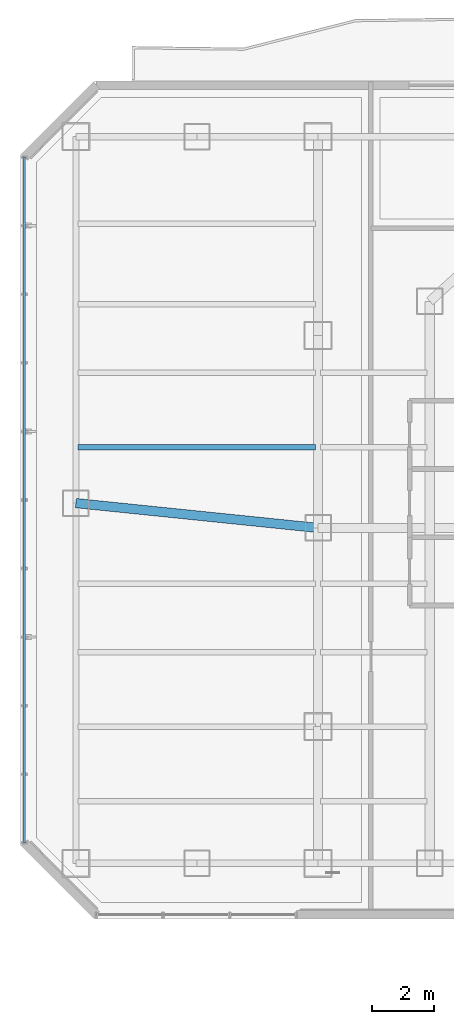
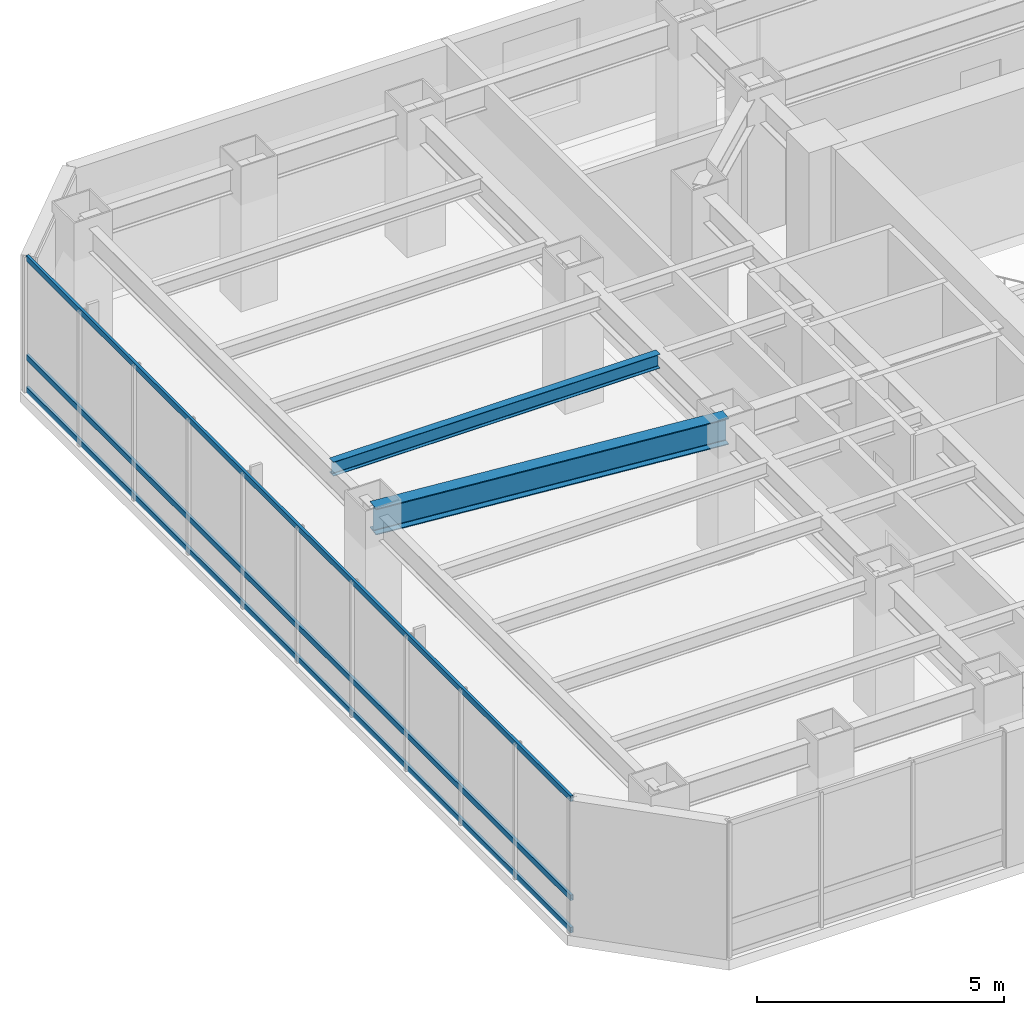
# One storey, part 14 of 29: 3 members, 2 beams, 1 element without a shape of its own.
"""IFC4 building model written with IfcOpenShell, lengths in metres."""

from ifc_helpers import new_model, si_unit, direction, frame, origin, origin_2d, place, context, subcontext, project, spatial, hollow_rectangle, i_section, extrude, material, layer, layer_set, material_profile, profile_set, type_object, element, aggregate, save


model = new_model("IFC4")

# Units and contexts
model_context = context("Model", 3, precision=1e-05, world=origin(), true_north=direction((0.0, 1.0)))
body_context = subcontext(model_context, "Body", "Model", "MODEL_VIEW")
ifc_project = project(units=[si_unit("LENGTHUNIT", "METRE"), si_unit("AREAUNIT", "SQUARE_METRE"), si_unit("VOLUMEUNIT", "CUBIC_METRE"), si_unit("PLANEANGLEUNIT", "RADIAN"), si_unit("MASSUNIT", "GRAM", prefix="KILO")], contexts=[model_context])

# Site, building, storey
site_placement = place(None, origin())
site = spatial("IfcSite", under=ifc_project, at=site_placement, CompositionType="ELEMENT")
building_placement = place(site_placement, origin())
building = spatial("IfcBuilding", under=site, at=building_placement, Name="Hatsunagi Terrace Concourse", CompositionType="ELEMENT")
storey_placement = place(building_placement, frame((0.0, 0.0, 104.85009765625)))
storey = spatial("IfcBuildingStorey", under=building, at=storey_placement, Name="L27", CompositionType="ELEMENT", Elevation=104.85009765625)

# Curtain wall, members
ifc_material_1 = material(Name="Anodised Aluminium Alloy 6063-T5", Category="aluminium")
ifc_layer = layer(ifc_material_1, 0.199951171875)
ifc_layer_set = layer_set([ifc_layer], Name="OfficeZone1_CW03")
curtain_wall_type = type_object("IfcCurtainWallType", Name="OfficeZone1_CW03", PredefinedType="NOTDEFINED", material=ifc_layer_set)
curtain_wall_placement = place(storey_placement, origin())
curtain_wall = element("IfcCurtainWall", 1, at=curtain_wall_placement, inside=storey, type_object=curtain_wall_type, Name="Unitised Curtain Wall CW-03 CW-L27-09", PredefinedType="NOTDEFINED")
ifc_material_2 = material(Name="Anodised Aluminium Alloy 6063-T5", Category="aluminium")
ifc_material_profile_1 = material_profile(ifc_material_2, hollow_rectangle(XDim=0.06494140625, YDim=0.139892578125, WallThickness=0.00390625, at=origin_2d()), Name="ALU-TRN-140x65x4")
ifc_profile_set_1 = profile_set([ifc_material_profile_1], Name="Anodised Aluminium Alloy 6063-T5")
member_type = type_object("IfcMemberType", Name="CurtainWallTransom_140x65", PredefinedType="USERDEFINED", material=ifc_profile_set_1)
member_1_placement = place(storey_placement, frame((9.739990234375, 25.85791015625, 0.0498046875), z_axis=(0.0, 1.0, 0.0), x_axis=(-1.0, 0.0, 0.0)))
member_1 = element("IfcMember", 2, at=member_1_placement, type_object=member_type, Name="Curtain Wall Transom TRN-02", ObjectType="TRANSOM", PredefinedType="USERDEFINED", context=body_context, shape_type="SweptSolid", body=[
    extrude(hollow_rectangle(XDim=0.06494140625, YDim=0.139892578125, WallThickness=0.00390625, at=origin_2d()), origin(), (0.0, 0.0, 1.0), 22.083984375),
])
member_2_placement = place(storey_placement, frame((9.739990234375, 25.85791015625, 0.849853515625), z_axis=(0.0, 1.0, 0.0), x_axis=(-1.0, 0.0, 0.0)))
member_2 = element("IfcMember", 3, at=member_2_placement, type_object=member_type, Name="Curtain Wall Transom TRN-02", ObjectType="TRANSOM", PredefinedType="USERDEFINED", context=body_context, shape_type="SweptSolid", body=[
    extrude(hollow_rectangle(XDim=0.06494140625, YDim=0.139892578125, WallThickness=0.00390625, at=origin_2d()), origin(), (0.0, 0.0, 1.0), 22.083984375),
])
member_3_placement = place(storey_placement, frame((9.739990234375, 25.85791015625, 3.2998046875), z_axis=(0.0, 1.0, 0.0), x_axis=(-1.0, 0.0, 0.0)))
member_3 = element("IfcMember", 4, at=member_3_placement, type_object=member_type, Name="Curtain Wall Transom TRN-02", ObjectType="TRANSOM", PredefinedType="USERDEFINED", context=body_context, shape_type="SweptSolid", body=[
    extrude(hollow_rectangle(XDim=0.06494140625, YDim=0.139892578125, WallThickness=0.00390625, at=origin_2d()), origin(), (0.0, 0.0, 1.0), 22.083984375),
])
aggregate(curtain_wall, [member_1, member_2, member_3])

# Beams
ifc_material_3 = material(Name="Steel SN490B", Category="steel")
ifc_material_profile_2 = material_profile(ifc_material_3, i_section(OverallWidth=0.175048828125, OverallDepth=0.35009765625, WebThickness=0.007080078125, FlangeThickness=0.010986328125, FilletRadius=0.012939453125, at=origin_2d()), Name="H-350x175x7x11")
ifc_profile_set_2 = profile_set([ifc_material_profile_2], Name="Steel SN490B")
beam_type_1 = type_object("IfcBeamType", Name="HotelJoist_H_350x175", PredefinedType="JOIST", material=ifc_profile_set_2)
beam_1_placement = place(storey_placement, frame((11.465087890625, 38.60009765625, 3.1748046875), z_axis=(1.0, 0.0, 0.0), x_axis=(0.0, 1.0, 0.0)))
element("IfcBeam", 5, at=beam_1_placement, inside=storey, type_object=beam_type_1, Name="Beam J-02 J-L27-W-11-386", PredefinedType="JOIST", context=body_context, shape_type="SweptSolid", body=[
    extrude(i_section(OverallWidth=0.175048828125, OverallDepth=0.35009765625, WebThickness=0.007080078125, FlangeThickness=0.010986328125, FilletRadius=0.012939453125, at=origin_2d()), origin(), (0.0, 0.0, 1.0), 7.64990234375),
])
ifc_material_4 = material(Name="Steel SN490B", Category="steel")
ifc_material_profile_3 = material_profile(ifc_material_4, i_section(OverallWidth=0.300048828125, OverallDepth=0.64990234375, WebThickness=0.012939453125, FlangeThickness=0.02197265625, FilletRadius=0.01806640625, at=origin_2d()), Name="H-650x300x13x22")
ifc_profile_set_3 = profile_set([ifc_material_profile_3], Name="Steel SN490B")
beam_type_2 = type_object("IfcBeamType", Name="OfficeLowGirder_H_650x300", PredefinedType="BEAM", material=ifc_profile_set_3)
beam_2_placement = place(storey_placement, frame((11.39990234375, 36.800048828125, 3.02490234375), z_axis=(0.994780871372, -0.102034395927, 0.0), x_axis=(0.102034395927, 0.994780871372, 0.0)))
element("IfcBeam", 6, at=beam_2_placement, inside=storey, type_object=beam_type_2, Name="Beam G-05 BM-L27-EW-2", PredefinedType="BEAM", context=body_context, shape_type="SweptSolid", body=[
    extrude(i_section(OverallWidth=0.300048828125, OverallDepth=0.64990234375, WebThickness=0.012939453125, FlangeThickness=0.02197265625, FilletRadius=0.01806640625, at=origin_2d()), origin(), (0.0, 0.0, 1.0), 7.841064453125),
])

save(model, "model.ifc")
